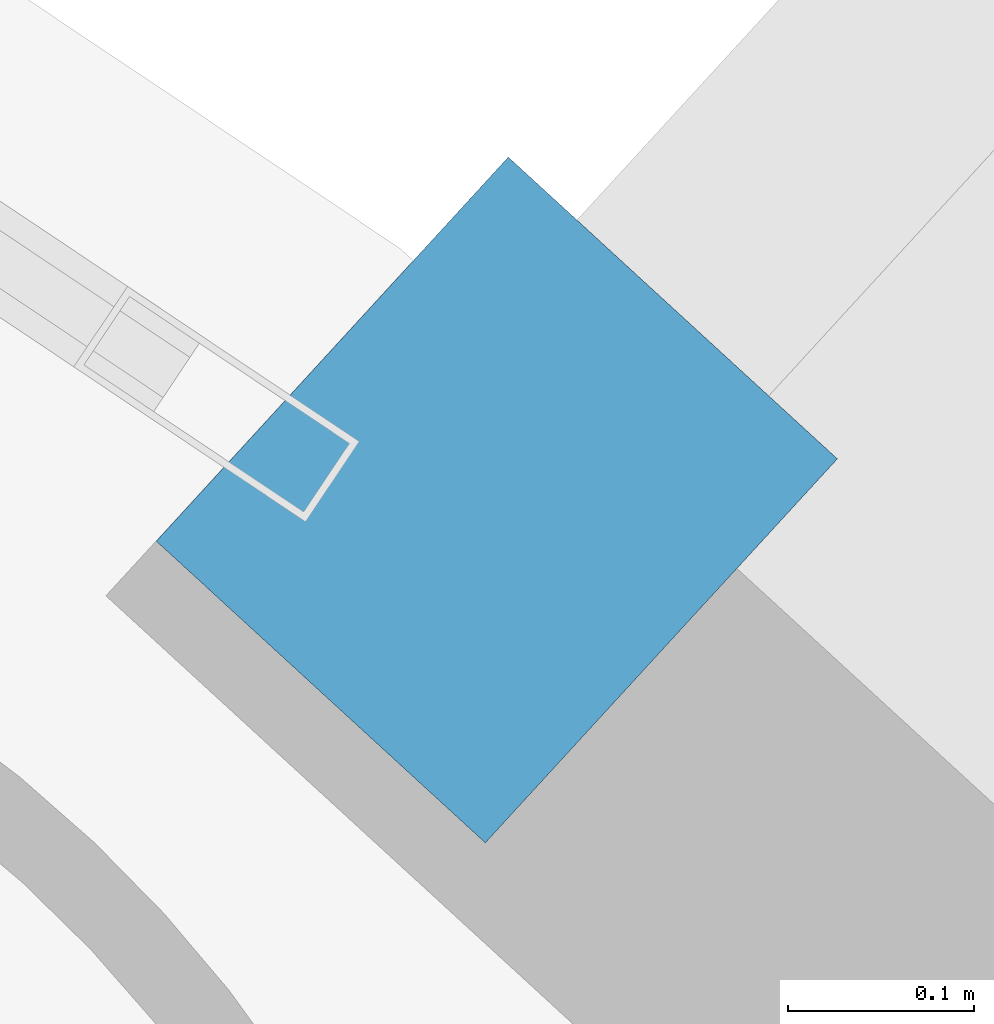
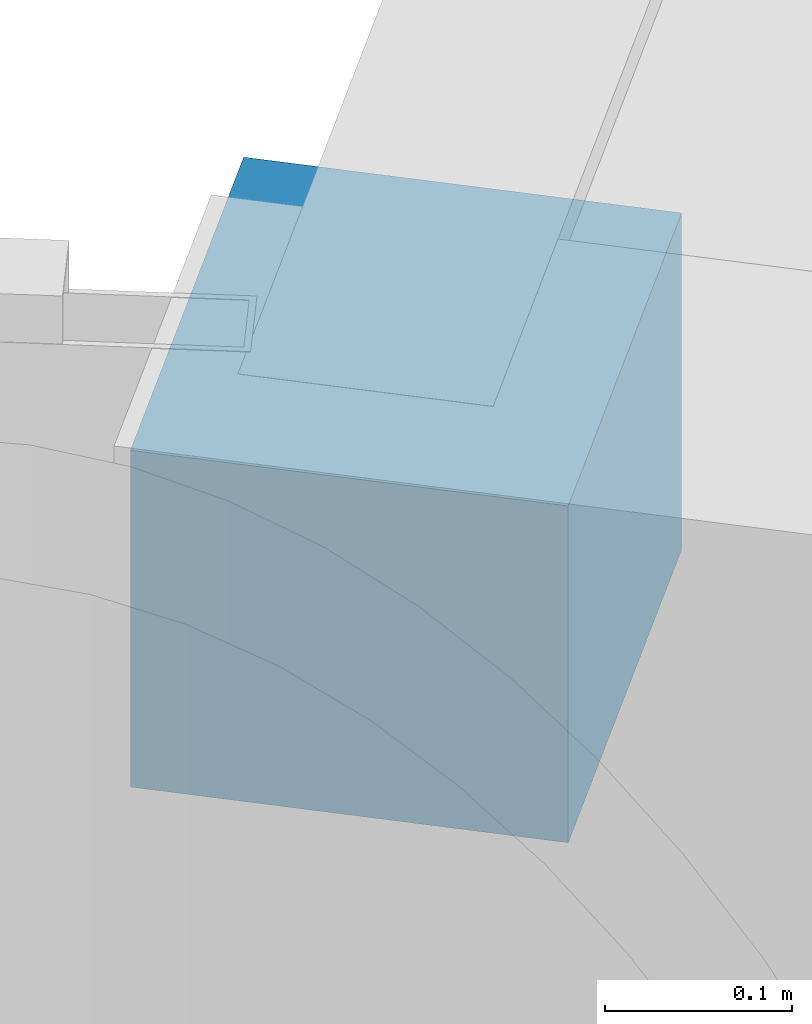
# One storey, part 15 of 20: 1 discrete accessory.
"""IFC4 building model written with IfcOpenShell, lengths in metres."""

from ifc_helpers import new_model, si_unit, direction, frame, origin, origin_2d, place, context, subcontext, project, spatial, rectangle, extrude, source, transform, mapped, material, type_object, element, save


model = new_model("IFC4")

# Units and contexts
model_context = context("Model", 3, precision=1e-05, world=origin(), true_north=direction((0.0, 1.0)))
body_context = subcontext(model_context, "Body", "Model", "MODEL_VIEW")
ifc_project = project(units=[si_unit("LENGTHUNIT", "METRE"), si_unit("AREAUNIT", "SQUARE_METRE"), si_unit("VOLUMEUNIT", "CUBIC_METRE"), si_unit("PLANEANGLEUNIT", "RADIAN"), si_unit("MASSUNIT", "GRAM", prefix="KILO")], contexts=[model_context])

# Site, building, storey
site_placement = place(None, origin())
site = spatial("IfcSite", under=ifc_project, at=site_placement, CompositionType="ELEMENT")
building_placement = place(site_placement, origin())
building = spatial("IfcBuilding", under=site, at=building_placement, Name="Linh Dai School and Residence Tower", CompositionType="ELEMENT")
storey_placement = place(building_placement, frame((0.0, 0.0, 127.199951171875)))
storey = spatial("IfcBuildingStorey", under=building, at=storey_placement, Name="L30", CompositionType="ELEMENT", Elevation=127.199951171875)

# Discrete accessory
ifc_material = material(Name="Structural Steel S355JR", Category="steel")
discrete_accessory_type = type_object("IfcDiscreteAccessoryType", Name="ACC-BRK-S355", PredefinedType="BRACKET", material=ifc_material)
shared_shape = source(origin(), body_context, "Body", "SweptSolid", [
    extrude(rectangle(XDim=0.280029296875, YDim=0.239990234375, at=origin_2d()), origin(), (0.0, 0.0, 1.0), 0.219970703125),
])
discrete_accessory_placement = place(storey_placement, frame((56.4873046875, 42.866455078125, 3.25), z_axis=(0.0, 0.0, 1.0), x_axis=(0.675783395482, 0.737100266172, 0.0)))
element("IfcDiscreteAccessory", 1, at=discrete_accessory_placement, inside=storey, type_object=discrete_accessory_type, Name="L30 Facade Frame Anchor Bracket 05", PredefinedType="BRACKET", context=body_context, shape_type="MappedRepresentation", body=[
    mapped(shared_shape, transform((0.0, 0.0, 0.0), x_axis=(1.0, 0.0, 0.0), y_axis=(0.0, 1.0, 0.0), z_axis=(0.0, 0.0, 1.0), scale=1.0)),
])

save(model, "model.ifc")
